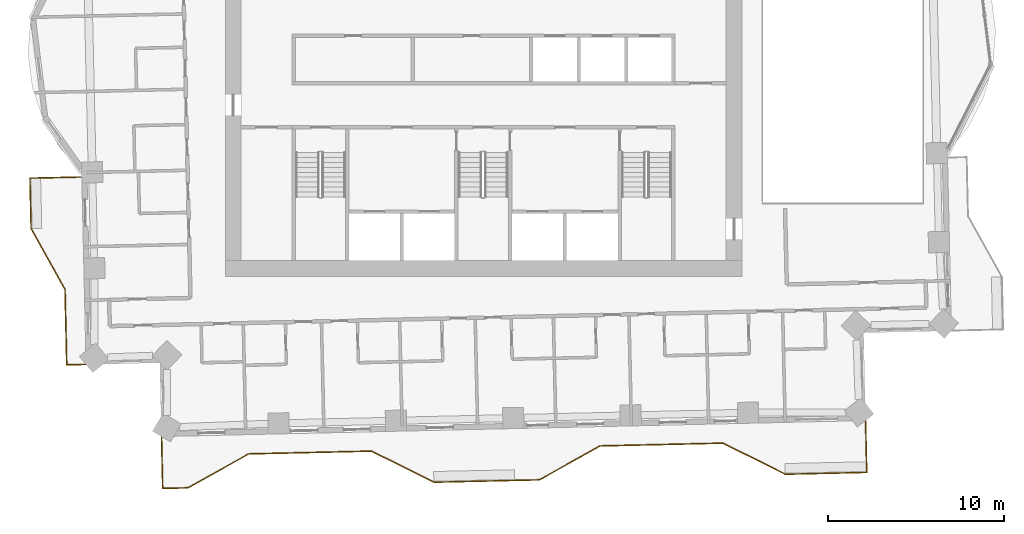
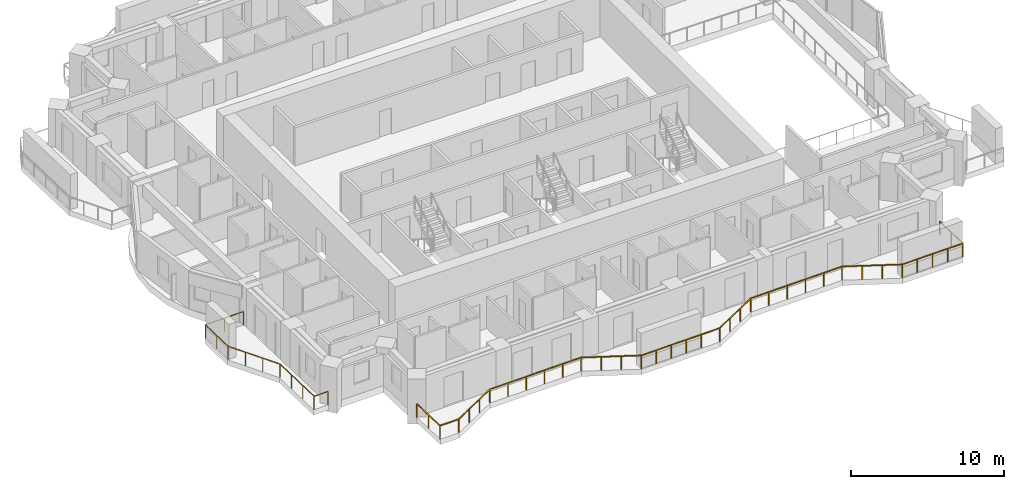
# One storey, part 11 of 14: 2 railings.
"""IFC4 building model written with IfcOpenShell, lengths in metres."""

import ifcopenshell
import ifcopenshell.guid

model = None  # the IFC model being written
_history = None  # IfcOwnerHistory: only IFC2X3 demands one
_inside = {}  # id of a spatial element -> (the spatial element, [elements in it])
_under = {}  # id of a project, library or spatial element -> (it, [spatial elements below it])
_declared = {}  # id of a project -> (the project, [libraries it declares])
_typed = {}  # id of a type object -> (the type object, [elements of that type])
_made_of = {}  # id of a material, layer set ... -> (it, [elements and type objects made of it])


def new_model(schema):
    """Start an empty IFC model of exactly this schema.

    Asked for "IFC4X3", IfcOpenShell would pick the latest addendum, in which some entities
    have other attributes; the version numbers below select the first issue.
    IFC2X3 requires an IfcOwnerHistory on every rooted entity: one is made here for all.
    """
    global model, _history
    if schema == "IFC4X3":
        model = ifcopenshell.file(schema_version=(4, 3, 0, 0))
    else:
        model = ifcopenshell.file(schema=schema)
    _inside.clear()
    _under.clear()
    _declared.clear()
    _typed.clear()
    _made_of.clear()
    _history = None
    if model.schema == "IFC2X3":
        org = make("IfcOrganization", Name="unknown")
        user = make(
            "IfcPersonAndOrganization",
            ThePerson=make("IfcPerson", FamilyName="unknown"),
            TheOrganization=org,
        )
        app = make(
            "IfcApplication",
            ApplicationDeveloper=org,
            Version="unknown",
            ApplicationFullName="unknown",
            ApplicationIdentifier="unknown",
        )
        _history = make(
            "IfcOwnerHistory",
            OwningUser=user,
            OwningApplication=app,
            ChangeAction="ADDED",
            CreationDate=0,
        )
    return model


def make(cls, **values):
    """One entity of the class cls with the attributes given. An attribute that is None is left unset."""
    return model.create_entity(
        cls, **{name: value for name, value in values.items() if value is not None}
    )


def rooted(cls, **values):
    """An entity with a GlobalId (a new one), such as an element, a storey or a relation."""
    return make(cls, GlobalId=ifcopenshell.guid.new(), OwnerHistory=_history, **values)


def si_unit(unit_type, name, prefix=None):
    """IfcSIUnit, for example si_unit("LENGTHUNIT", "METRE", prefix="MILLI")."""
    return make("IfcSIUnit", UnitType=unit_type, Prefix=prefix, Name=name)


def assignment(units):
    """IfcUnitAssignment: the units of a project."""
    return None if units is None else make("IfcUnitAssignment", Units=units)


def point(xyz):
    """IfcCartesianPoint."""
    return None if xyz is None else make("IfcCartesianPoint", Coordinates=xyz)


def direction(xyz):
    """IfcDirection."""
    return None if xyz is None else make("IfcDirection", DirectionRatios=xyz)


def frame(location, z_axis=None, x_axis=None):
    """IfcAxis2Placement3D, a coordinate frame: its origin and axes. An axis left out is left unset."""
    return make(
        "IfcAxis2Placement3D",
        Location=point(location),
        Axis=direction(z_axis),
        RefDirection=direction(x_axis),
    )


def frame_2d(location, x_axis=None):
    """IfcAxis2Placement2D, a coordinate frame in the plane: its origin and x axis."""
    return make(
        "IfcAxis2Placement2D", Location=point(location), RefDirection=direction(x_axis)
    )


def origin():
    """The frame at (0, 0, 0) with its axes left unset."""
    return frame((0.0, 0.0, 0.0))


def origin_2d():
    """The frame at (0, 0) in the plane with its x axis left unset."""
    return frame_2d((0.0, 0.0))


def place(relative_to, where):
    """IfcLocalPlacement: puts the frame where relative to a parent placement (None: the world)."""
    return make(
        "IfcLocalPlacement", PlacementRelTo=relative_to, RelativePlacement=where
    )


def context(
    kind, dimensions, precision=None, world=None, true_north=None, identifier=None
):
    """IfcGeometricRepresentationContext, for example the 3D "Model" context."""
    return make(
        "IfcGeometricRepresentationContext",
        ContextIdentifier=identifier,
        ContextType=kind,
        CoordinateSpaceDimension=dimensions,
        Precision=precision,
        WorldCoordinateSystem=world,
        TrueNorth=true_north,
    )


def subcontext(parent, identifier, kind, view, scale=None):
    """IfcGeometricRepresentationSubContext, for example "Body" below "Model"."""
    return make(
        "IfcGeometricRepresentationSubContext",
        ContextIdentifier=identifier,
        ContextType=kind,
        ParentContext=parent,
        TargetScale=scale,
        TargetView=view,
    )


def project(units=None, contexts=None):
    """IfcProject with its units and contexts."""
    return rooted(
        "IfcProject",
        Name="project",
        RepresentationContexts=contexts,
        UnitsInContext=assignment(units),
    )


def spatial(cls, under=None, at=None, **own):
    """A site, building, storey or space (cls), placed at a placement, below another one or the project."""
    s = rooted(cls, ObjectPlacement=at, **own)
    if under is not None:
        _under.setdefault(under.id(), (under, []))[1].append(s)
    return s


def profile(cls, at=None, kind="AREA", **sizes):
    """A parametric profile (cls). Its sizes go by their IFC names, for example OverallWidth=200.0."""
    return make(cls, ProfileType=kind, Position=at, **sizes)


def rectangle(**sizes):
    """IfcRectangleProfileDef."""
    return profile("IfcRectangleProfileDef", **sizes)


def extrude(swept, where, along, depth):
    """IfcExtrudedAreaSolid: the profile swept, set in the frame where, extruded along a direction by depth."""
    return make(
        "IfcExtrudedAreaSolid",
        SweptArea=swept,
        Position=where,
        ExtrudedDirection=direction(along),
        Depth=depth,
    )


def shape(context_of_items, identifier, shape_type, items):
    """IfcShapeRepresentation: the items that make up one representation, for example the "Body"."""
    return make(
        "IfcShapeRepresentation",
        ContextOfItems=context_of_items,
        RepresentationIdentifier=identifier,
        RepresentationType=shape_type,
        Items=items,
    )


def material(Name=None, Category=None):
    """IfcMaterial."""
    return make("IfcMaterial", Name=Name, Category=Category)


def made_of(thing, what):
    """Note that an element or type object is made of a material, layer set ...; save() writes the relation."""
    if what is not None:
        _made_of.setdefault(what.id(), (what, []))[1].append(thing)
    return thing


def type_object(cls, material=None, **own):
    """A type object (cls), such as IfcWallType, which elements share."""
    return made_of(rooted(cls, **own), material)


def element(
    cls,
    number,
    at=None,
    inside=None,
    cuts=None,
    type_object=None,
    material=None,
    context=None,
    identifier="Body",
    shape_type=None,
    held_by="IfcProductDefinitionShape",
    body=None,
    shapes=None,
    **own,
):
    """One element of the class cls, such as IfcWall. Its Tag is "e" and its number.

    at: its placement. inside: the storey or other place that contains it. cuts: it is an
    opening in that element (IfcRelVoidsElement). A single representation is given by context,
    identifier, shape_type and body (its items); several are given by shapes. held_by: the class
    of the entity that holds the representations. save() writes the other relations.
    """
    e = rooted(cls, Tag="e%d" % number, ObjectPlacement=at, **own)
    if body is not None:
        shapes = [shape(context, identifier, shape_type, body)]
    if shapes is not None:
        e.Representation = make(held_by, Representations=shapes)
    if inside is not None:
        _inside.setdefault(inside.id(), (inside, []))[1].append(e)
    if cuts is not None:
        rooted(
            "IfcRelVoidsElement", RelatingBuildingElement=cuts, RelatedOpeningElement=e
        )
    if type_object is not None:
        _typed.setdefault(type_object.id(), (type_object, []))[1].append(e)
    return made_of(e, material)


def aggregate(whole, parts):
    """IfcRelAggregates: a whole, such as a stair, and the parts it consists of."""
    return rooted("IfcRelAggregates", RelatingObject=whole, RelatedObjects=parts)


def save(model, path):
    """Write the relations noted so far, then the file.

    IfcRelAggregates (storeys below a building ...), IfcRelContainedInSpatialStructure (elements
    in a storey), IfcRelDefinesByType, IfcRelAssociatesMaterial and IfcRelDeclares: one each for
    every whole, place, type object, material and project.
    """
    for whole, parts in _under.values():
        aggregate(whole, parts)
    for where, things in _inside.values():
        rooted(
            "IfcRelContainedInSpatialStructure",
            RelatedElements=things,
            RelatingStructure=where,
        )
    for kind, things in _typed.values():
        rooted("IfcRelDefinesByType", RelatedObjects=things, RelatingType=kind)
    for what, things in _made_of.values():
        rooted("IfcRelAssociatesMaterial", RelatedObjects=things, RelatingMaterial=what)
    for by, libraries in _declared.values():
        rooted("IfcRelDeclares", RelatingContext=by, RelatedDefinitions=libraries)
    model.write(path)


model = new_model("IFC4")

# Units and contexts
model_context = context("Model", 3, precision=1e-05, world=origin(), true_north=direction((0.0, 1.0)))
body_context = subcontext(model_context, "Body", "Model", "MODEL_VIEW")
ifc_project = project(units=[si_unit("LENGTHUNIT", "METRE"), si_unit("AREAUNIT", "SQUARE_METRE"), si_unit("VOLUMEUNIT", "CUBIC_METRE"), si_unit("PLANEANGLEUNIT", "RADIAN"), si_unit("MASSUNIT", "GRAM", prefix="KILO")], contexts=[model_context])

# Site, building, storey
site_placement = place(None, origin())
site = spatial("IfcSite", under=ifc_project, at=site_placement, CompositionType="ELEMENT")
building_placement = place(site_placement, origin())
building = spatial("IfcBuilding", under=site, at=building_placement, Name="Mangrove Gate Tower", CompositionType="ELEMENT")
storey_placement = place(building_placement, frame((0.0, 0.0, 186.10009765625)))
storey = spatial("IfcBuildingStorey", under=building, at=storey_placement, Name="L47", CompositionType="ELEMENT", Elevation=186.10009765625)

# Railings
ifc_material = material(Name="Stainless steel grade 316 with laminated glass infill", Category="steel")
railing_type = type_object("IfcRailingType", Name="Balcony guard 1100", PredefinedType="GUARDRAIL", material=ifc_material)
railing_1_placement = place(storey_placement, frame((-22.912109375, -6.033935546875, 0.0)))
element("IfcRailing", 1, at=railing_1_placement, inside=storey, type_object=railing_type, Name="GUARD L47 W2", PredefinedType="GUARDRAIL", context=body_context, shape_type="SweptSolid", body=[
    extrude(rectangle(XDim=0.048095703125, YDim=0.048095703125, at=origin_2d()), frame((0.0, 0.0, 1.076171875), z_axis=(-0.999749018963, -0.022403104328, 0.0), x_axis=(0.022403104328, -0.999749018963, 0.0)), (0.0, 0.0, 1.0), 2.90966796875),
    extrude(rectangle(XDim=0.048095703125, YDim=0.048095703125, at=origin_2d()), frame((-2.908935546875, -0.065185546875, 1.076171875), z_axis=(0.02259214234, -0.99974476498, 0.0), x_axis=(0.99974476498, 0.02259214234, 0.0)), (0.0, 0.0, 1.0), 2.87451171875),
    extrude(rectangle(XDim=0.048095703125, YDim=0.048095703125, at=origin_2d()), frame((-2.843994140625, -2.93896484375, 1.076171875), z_axis=(0.487307108654, -0.873230657876, 0.0), x_axis=(0.873230657876, 0.487307108654, 0.0)), (0.0, 0.0, 1.0), 3.958984375),
    extrude(rectangle(XDim=0.048095703125, YDim=0.048095703125, at=origin_2d()), frame((-0.914794921875, -6.39599609375, 1.076171875), z_axis=(0.022539561751, -0.999745951808, 0.0), x_axis=(0.999745951808, 0.022539561751, 0.0)), (0.0, 0.0, 1.0), 4.300048828125),
    extrude(rectangle(XDim=0.048095703125, YDim=0.048095703125, at=origin_2d()), frame((-0.81787109375, -10.695068359375, 1.076171875), z_axis=(0.999745389313, 0.022564497502, 0.0), x_axis=(-0.022564497502, 0.999745389313, 0.0)), (0.0, 0.0, 1.0), 1.060302734375),
    extrude(rectangle(XDim=0.0419921875, YDim=0.0419921875, at=origin_2d()), origin(), (0.0, 0.0, 1.0), 1.052001953125),
    extrude(rectangle(XDim=0.0419921875, YDim=0.0419921875, at=origin_2d()), frame((-1.45458984375, -0.03271484375, 0.0)), (0.0, 0.0, 1.0), 1.052001953125),
    extrude(rectangle(XDim=0.0419921875, YDim=0.0419921875, at=origin_2d()), frame((-2.908935546875, -0.065185546875, 0.0)), (0.0, 0.0, 1.0), 1.052001953125),
    extrude(rectangle(XDim=0.0419921875, YDim=0.0419921875, at=origin_2d()), frame((-2.87646484375, -1.501953125, 0.0)), (0.0, 0.0, 1.0), 1.052001953125),
    extrude(rectangle(XDim=0.0419921875, YDim=0.0419921875, at=origin_2d()), frame((-2.843994140625, -2.93896484375, 0.0)), (0.0, 0.0, 1.0), 1.052001953125),
    extrude(rectangle(XDim=0.0419921875, YDim=0.0419921875, at=origin_2d()), frame((-2.200927734375, -4.09130859375, 0.0)), (0.0, 0.0, 1.0), 1.052001953125),
    extrude(rectangle(XDim=0.0419921875, YDim=0.0419921875, at=origin_2d()), frame((-1.557861328125, -5.24365234375, 0.0)), (0.0, 0.0, 1.0), 1.052001953125),
    extrude(rectangle(XDim=0.0419921875, YDim=0.0419921875, at=origin_2d()), frame((-0.914794921875, -6.39599609375, 0.0)), (0.0, 0.0, 1.0), 1.052001953125),
    extrude(rectangle(XDim=0.0419921875, YDim=0.0419921875, at=origin_2d()), frame((-0.882568359375, -7.8291015625, 0.0)), (0.0, 0.0, 1.0), 1.052001953125),
    extrude(rectangle(XDim=0.0419921875, YDim=0.0419921875, at=origin_2d()), frame((-0.85009765625, -9.261962890625, 0.0)), (0.0, 0.0, 1.0), 1.052001953125),
    extrude(rectangle(XDim=0.0419921875, YDim=0.0419921875, at=origin_2d()), frame((-0.81787109375, -10.695068359375, 0.0)), (0.0, 0.0, 1.0), 1.052001953125),
    extrude(rectangle(XDim=0.0419921875, YDim=0.0419921875, at=origin_2d()), frame((0.2421875, -10.671142578125, 0.0)), (0.0, 0.0, 1.0), 1.052001953125),
])
railing_2_placement = place(storey_placement, frame((-18.3349609375, -20.847900390625, 0.0)))
element("IfcRailing", 2, at=railing_2_placement, inside=storey, type_object=railing_type, Name="GUARD L47 S1", PredefinedType="GUARDRAIL", context=body_context, shape_type="SweptSolid", body=[
    extrude(rectangle(XDim=0.048095703125, YDim=0.048095703125, at=origin_2d()), frame((0.0, 0.0, 1.076171875), z_axis=(0.022652795902, -0.999743392495, 0.0), x_axis=(0.999743392495, 0.022652795902, 0.0)), (0.0, 0.0, 1.0), 2.909912109375),
    extrude(rectangle(XDim=0.048095703125, YDim=0.048095703125, at=origin_2d()), frame((0.06591796875, -2.9091796875, 1.076171875), z_axis=(0.999753428766, 0.022205442382, 0.0), x_axis=(-0.022205442382, 0.999753428766, 0.0)), (0.0, 0.0, 1.0), 1.440185546875),
    extrude(rectangle(XDim=0.048095703125, YDim=0.048095703125, at=origin_2d()), frame((1.505859375, -2.877197265625, 1.076171875), z_axis=(0.873230657876, 0.487307108654, 0.0), x_axis=(-0.487307108654, 0.873230657876, 0.0)), (0.0, 0.0, 1.0), 3.958984375),
    extrude(rectangle(XDim=0.048095703125, YDim=0.048095703125, at=origin_2d()), frame((4.962890625, -0.947998046875, 1.076171875), z_axis=(0.999742195543, 0.022705559911, 0.0), x_axis=(-0.022705559911, 0.999742195543, 0.0)), (0.0, 0.0, 1.0), 6.999755859375),
    extrude(rectangle(XDim=0.048095703125, YDim=0.048095703125, at=origin_2d()), frame((11.9609375, -0.7890625, 1.076171875), z_axis=(0.894476522376, -0.447114919141, 0.0), x_axis=(0.447114919141, 0.894476522376, 0.0)), (0.0, 0.0, 1.0), 3.958740234375),
    extrude(rectangle(XDim=0.048095703125, YDim=0.048095703125, at=origin_2d()), frame((15.501953125, -2.55908203125, 1.076171875), z_axis=(0.999744404568, 0.02260808559, 0.0), x_axis=(-0.02260808559, 0.999744404568, 0.0)), (0.0, 0.0, 1.0), 4.600341796875),
    extrude(rectangle(XDim=0.048095703125, YDim=0.048095703125, at=origin_2d()), frame((20.10107421875, -2.455078125, 1.076171875), z_axis=(0.999739128131, 0.022840220751, 0.0), x_axis=(-0.022840220751, 0.999739128131, 0.0)), (0.0, 0.0, 1.0), 1.400146484375),
    extrude(rectangle(XDim=0.048095703125, YDim=0.048095703125, at=origin_2d()), frame((21.5009765625, -2.423095703125, 1.076171875), z_axis=(0.87325689943, 0.48726008209, 0.0), x_axis=(-0.48726008209, 0.87325689943, 0.0)), (0.0, 0.0, 1.0), 3.958740234375),
    extrude(rectangle(XDim=0.048095703125, YDim=0.048095703125, at=origin_2d()), frame((24.9580078125, -0.494140625, 1.076171875), z_axis=(0.999742195543, 0.022705559911, 0.0), x_axis=(-0.022705559911, 0.999742195543, 0.0)), (0.0, 0.0, 1.0), 6.999755859375),
    extrude(rectangle(XDim=0.048095703125, YDim=0.048095703125, at=origin_2d()), frame((31.9560546875, -0.335205078125, 1.076171875), z_axis=(0.894501186021, -0.447065574839, 0.0), x_axis=(0.447065574839, 0.894501186021, 0.0)), (0.0, 0.0, 1.0), 3.958740234375),
    extrude(rectangle(XDim=0.048095703125, YDim=0.048095703125, at=origin_2d()), frame((35.4970703125, -2.10498046875, 1.076171875), z_axis=(0.999744031086, 0.022624595199, 0.0), x_axis=(-0.022624595199, 0.999744031086, 0.0)), (0.0, 0.0, 1.0), 4.64013671875),
    extrude(rectangle(XDim=0.048095703125, YDim=0.048095703125, at=origin_2d()), frame((40.135986328125, -2.0, 1.076171875), z_axis=(-0.022654696127, 0.999743349437, 0.0), x_axis=(-0.999743349437, -0.022654696127, 0.0)), (0.0, 0.0, 1.0), 2.90966796875),
    extrude(rectangle(XDim=0.0419921875, YDim=0.0419921875, at=origin_2d()), origin(), (0.0, 0.0, 1.0), 1.052001953125),
    extrude(rectangle(XDim=0.0419921875, YDim=0.0419921875, at=origin_2d()), frame((0.032958984375, -1.45458984375, 0.0)), (0.0, 0.0, 1.0), 1.052001953125),
    extrude(rectangle(XDim=0.0419921875, YDim=0.0419921875, at=origin_2d()), frame((0.06591796875, -2.9091796875, 0.0)), (0.0, 0.0, 1.0), 1.052001953125),
    extrude(rectangle(XDim=0.0419921875, YDim=0.0419921875, at=origin_2d()), frame((1.505859375, -2.877197265625, 0.0)), (0.0, 0.0, 1.0), 1.052001953125),
    extrude(rectangle(XDim=0.0419921875, YDim=0.0419921875, at=origin_2d()), frame((2.658203125, -2.234130859375, 0.0)), (0.0, 0.0, 1.0), 1.052001953125),
    extrude(rectangle(XDim=0.0419921875, YDim=0.0419921875, at=origin_2d()), frame((3.810546875, -1.591064453125, 0.0)), (0.0, 0.0, 1.0), 1.052001953125),
    extrude(rectangle(XDim=0.0419921875, YDim=0.0419921875, at=origin_2d()), frame((4.962890625, -0.947998046875, 0.0)), (0.0, 0.0, 1.0), 1.052001953125),
    extrude(rectangle(XDim=0.0419921875, YDim=0.0419921875, at=origin_2d()), frame((6.362548828125, -0.916259765625, 0.0)), (0.0, 0.0, 1.0), 1.052001953125),
    extrude(rectangle(XDim=0.0419921875, YDim=0.0419921875, at=origin_2d()), frame((7.76220703125, -0.884521484375, 0.0)), (0.0, 0.0, 1.0), 1.052001953125),
    extrude(rectangle(XDim=0.0419921875, YDim=0.0419921875, at=origin_2d()), frame((9.16162109375, -0.8525390625, 0.0)), (0.0, 0.0, 1.0), 1.052001953125),
    extrude(rectangle(XDim=0.0419921875, YDim=0.0419921875, at=origin_2d()), frame((10.561279296875, -0.82080078125, 0.0)), (0.0, 0.0, 1.0), 1.052001953125),
    extrude(rectangle(XDim=0.0419921875, YDim=0.0419921875, at=origin_2d()), frame((11.9609375, -0.7890625, 0.0)), (0.0, 0.0, 1.0), 1.052001953125),
    extrude(rectangle(XDim=0.0419921875, YDim=0.0419921875, at=origin_2d()), frame((13.141357421875, -1.379150390625, 0.0)), (0.0, 0.0, 1.0), 1.052001953125),
    extrude(rectangle(XDim=0.0419921875, YDim=0.0419921875, at=origin_2d()), frame((14.321533203125, -1.968994140625, 0.0)), (0.0, 0.0, 1.0), 1.052001953125),
    extrude(rectangle(XDim=0.0419921875, YDim=0.0419921875, at=origin_2d()), frame((15.501953125, -2.55908203125, 0.0)), (0.0, 0.0, 1.0), 1.052001953125),
    extrude(rectangle(XDim=0.0419921875, YDim=0.0419921875, at=origin_2d()), frame((16.65185546875, -2.533203125, 0.0)), (0.0, 0.0, 1.0), 1.052001953125),
    extrude(rectangle(XDim=0.0419921875, YDim=0.0419921875, at=origin_2d()), frame((17.801513671875, -2.507080078125, 0.0)), (0.0, 0.0, 1.0), 1.052001953125),
    extrude(rectangle(XDim=0.0419921875, YDim=0.0419921875, at=origin_2d()), frame((18.951171875, -2.48095703125, 0.0)), (0.0, 0.0, 1.0), 1.052001953125),
    extrude(rectangle(XDim=0.0419921875, YDim=0.0419921875, at=origin_2d()), frame((20.10107421875, -2.455078125, 0.0)), (0.0, 0.0, 1.0), 1.052001953125),
    extrude(rectangle(XDim=0.0419921875, YDim=0.0419921875, at=origin_2d()), frame((21.5009765625, -2.423095703125, 0.0)), (0.0, 0.0, 1.0), 1.052001953125),
    extrude(rectangle(XDim=0.0419921875, YDim=0.0419921875, at=origin_2d()), frame((22.6533203125, -1.780029296875, 0.0)), (0.0, 0.0, 1.0), 1.052001953125),
    extrude(rectangle(XDim=0.0419921875, YDim=0.0419921875, at=origin_2d()), frame((23.8056640625, -1.13720703125, 0.0)), (0.0, 0.0, 1.0), 1.052001953125),
    extrude(rectangle(XDim=0.0419921875, YDim=0.0419921875, at=origin_2d()), frame((24.9580078125, -0.494140625, 0.0)), (0.0, 0.0, 1.0), 1.052001953125),
    extrude(rectangle(XDim=0.0419921875, YDim=0.0419921875, at=origin_2d()), frame((26.357666015625, -0.46240234375, 0.0)), (0.0, 0.0, 1.0), 1.052001953125),
    extrude(rectangle(XDim=0.0419921875, YDim=0.0419921875, at=origin_2d()), frame((27.75732421875, -0.4306640625, 0.0)), (0.0, 0.0, 1.0), 1.052001953125),
    extrude(rectangle(XDim=0.0419921875, YDim=0.0419921875, at=origin_2d()), frame((29.15673828125, -0.398681640625, 0.0)), (0.0, 0.0, 1.0), 1.052001953125),
    extrude(rectangle(XDim=0.0419921875, YDim=0.0419921875, at=origin_2d()), frame((30.556396484375, -0.366943359375, 0.0)), (0.0, 0.0, 1.0), 1.052001953125),
    extrude(rectangle(XDim=0.0419921875, YDim=0.0419921875, at=origin_2d()), frame((31.9560546875, -0.335205078125, 0.0)), (0.0, 0.0, 1.0), 1.052001953125),
    extrude(rectangle(XDim=0.0419921875, YDim=0.0419921875, at=origin_2d()), frame((33.136474609375, -0.925048828125, 0.0)), (0.0, 0.0, 1.0), 1.052001953125),
    extrude(rectangle(XDim=0.0419921875, YDim=0.0419921875, at=origin_2d()), frame((34.316650390625, -1.51513671875, 0.0)), (0.0, 0.0, 1.0), 1.052001953125),
    extrude(rectangle(XDim=0.0419921875, YDim=0.0419921875, at=origin_2d()), frame((35.4970703125, -2.10498046875, 0.0)), (0.0, 0.0, 1.0), 1.052001953125),
    extrude(rectangle(XDim=0.0419921875, YDim=0.0419921875, at=origin_2d()), frame((36.65673828125, -2.07861328125, 0.0)), (0.0, 0.0, 1.0), 1.052001953125),
    extrude(rectangle(XDim=0.0419921875, YDim=0.0419921875, at=origin_2d()), frame((37.81640625, -2.052490234375, 0.0)), (0.0, 0.0, 1.0), 1.052001953125),
    extrude(rectangle(XDim=0.0419921875, YDim=0.0419921875, at=origin_2d()), frame((38.976318359375, -2.0263671875, 0.0)), (0.0, 0.0, 1.0), 1.052001953125),
    extrude(rectangle(XDim=0.0419921875, YDim=0.0419921875, at=origin_2d()), frame((40.135986328125, -2.0, 0.0)), (0.0, 0.0, 1.0), 1.052001953125),
    extrude(rectangle(XDim=0.0419921875, YDim=0.0419921875, at=origin_2d()), frame((40.10302734375, -0.54541015625, 0.0)), (0.0, 0.0, 1.0), 1.052001953125),
    extrude(rectangle(XDim=0.0419921875, YDim=0.0419921875, at=origin_2d()), frame((40.070068359375, 0.908935546875, 0.0)), (0.0, 0.0, 1.0), 1.052001953125),
])

save(model, "model.ifc")
